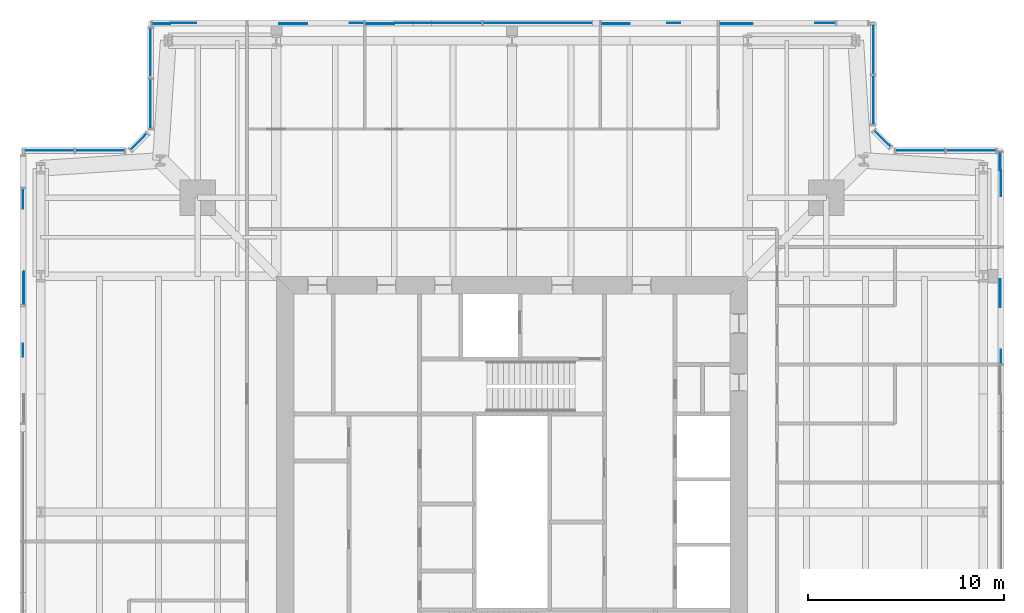
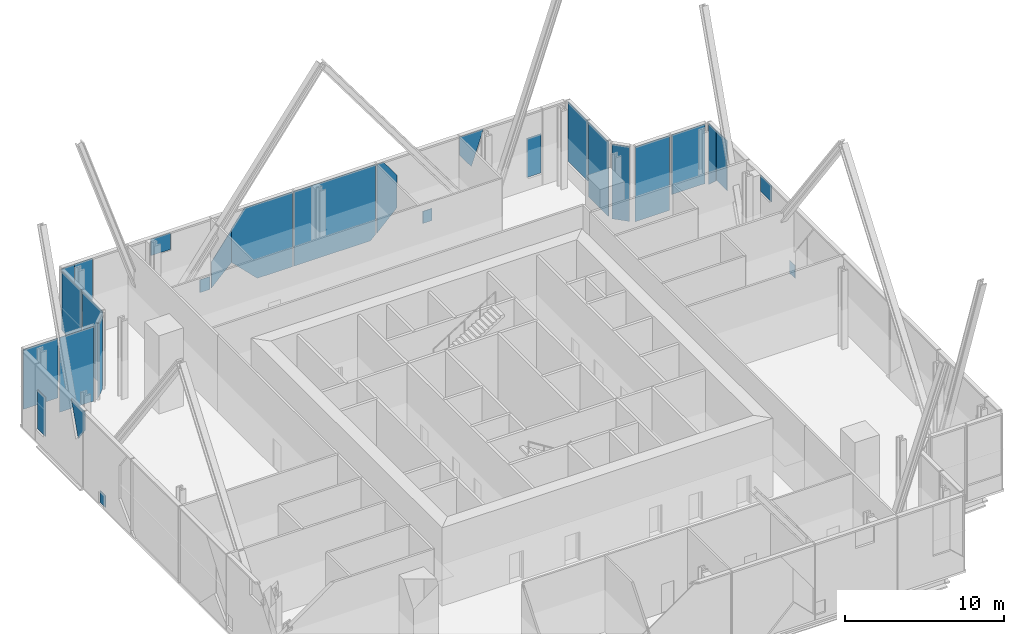
# One storey, part 9 of 20: 28 plates, 9 elements without a shape of their own.
"""IFC4 building model written with IfcOpenShell, lengths in metres."""

from ifc_helpers import new_model, si_unit, direction, frame, origin, origin_2d, place, context, subcontext, project, spatial, polyline, rectangle, outline, extrude, material, layer, layer_set, type_object, element, aggregate, save


model = new_model("IFC4")

# Units and contexts
model_context = context("Model", 3, precision=1e-05, world=origin(), true_north=direction((0.0, 1.0)))
body_context = subcontext(model_context, "Body", "Model", "MODEL_VIEW")
ifc_project = project(units=[si_unit("LENGTHUNIT", "METRE"), si_unit("AREAUNIT", "SQUARE_METRE"), si_unit("VOLUMEUNIT", "CUBIC_METRE"), si_unit("PLANEANGLEUNIT", "RADIAN"), si_unit("MASSUNIT", "GRAM", prefix="KILO")], contexts=[model_context])

# Site, building, storey
site_placement = place(None, origin())
site = spatial("IfcSite", under=ifc_project, at=site_placement, CompositionType="ELEMENT")
building_placement = place(site_placement, origin())
building = spatial("IfcBuilding", under=site, at=building_placement, Name="Fenwick Lantern Interchange", CompositionType="ELEMENT")
storey_placement = place(building_placement, frame((0.0, 0.0, 239.800048828125)))
storey = spatial("IfcBuildingStorey", under=building, at=storey_placement, Name="L56", CompositionType="ELEMENT", Elevation=239.800048828125)

# Curtain wall, plates
ifc_material_1 = material(Name="Aluminium curtain wall frame", Category="aluminium")
curtain_wall_type = type_object("IfcCurtainWallType", Name="SKY LOBBY GLAZING", PredefinedType="USERDEFINED", material=ifc_material_1)
curtain_wall_1_placement = place(storey_placement, origin())
curtain_wall_1 = element("IfcCurtainWall", 1, at=curtain_wall_1_placement, inside=storey, type_object=curtain_wall_type, Name="Sky lobby glazing 05", ObjectType="SKY LOBBY GLAZING", PredefinedType="USERDEFINED")
ifc_material_2 = material(Name="Vision glass, clear laminated double glazed", Category="glass")
ifc_layer = layer(ifc_material_2, 0.035888671875)
ifc_layer_set = layer_set([ifc_layer], Name="SKY LOBBY GLAZING PANEL 36")
plate_type = type_object("IfcPlateType", Name="SKY LOBBY GLAZING PANEL 36", PredefinedType="CURTAIN_PANEL", material=ifc_layer_set)
plate_1_placement = place(storey_placement, frame((49.89990234375, 6.60009765625, 0.35546875), z_axis=(0.0, 0.0, 1.0), x_axis=(0.0, 1.0, 0.0)))
plate_1 = element("IfcPlate", 2, at=plate_1_placement, type_object=plate_type, Name="L56/CW/05/P05a", PredefinedType="CURTAIN_PANEL", context=body_context, shape_type="SweptSolid", body=[
    extrude(outline(polyline([(25.93994140625, 0.0), (26.6650390625, 0.0), (26.6650390625, 0.98291015625), (25.93994140625, 0.98291015625), (25.93994140625, 0.0)])), frame((0.0, 0.01806640625, 0.0), z_axis=(0.0, -1.0, 0.0), x_axis=(1.0, 0.0, 0.0)), (0.0, 0.0, 1.0), 0.035888671875),
])
plate_2_placement = place(storey_placement, frame((49.89990234375, 6.60009765625, 4.460693359375), z_axis=(0.0, 0.0, 1.0), x_axis=(0.0, 1.0, 0.0)))
plate_2 = element("IfcPlate", 3, at=plate_2_placement, type_object=plate_type, Name="L56/CW/05/P05b", PredefinedType="CURTAIN_PANEL", context=body_context, shape_type="SweptSolid", body=[
    extrude(outline(polyline([(28.83642578125, 0.0), (30.241455078125, 0.0), (30.241455078125, 1.269287109375), (28.83642578125, 1.269287109375), (28.83642578125, 0.0)])), frame((0.0, 0.05615234375, 0.0), z_axis=(0.0, -1.0, 0.0), x_axis=(1.0, 0.0, 0.0)), (0.0, 0.0, 1.0), 0.035888671875),
])
plate_3_placement = place(storey_placement, frame((49.89990234375, 6.60009765625, 1.89306640625), z_axis=(0.0, 0.0, 1.0), x_axis=(0.0, 1.0, 0.0)))
plate_3 = element("IfcPlate", 4, at=plate_3_placement, type_object=plate_type, Name="L56/CW/05/P06a", PredefinedType="CURTAIN_PANEL", context=body_context, shape_type="SweptSolid", body=[
    extrude(outline(polyline([(34.47021484375, 0.0), (35.789306640625, 0.0), (35.789306640625, 3.8369140625), (34.47021484375, 3.8369140625), (34.47021484375, 0.0)])), frame((0.0, 0.01806640625, 0.0), z_axis=(0.0, -1.0, 0.0), x_axis=(1.0, 0.0, 0.0)), (0.0, 0.0, 1.0), 0.035888671875),
])
plate_4_placement = place(storey_placement, frame((49.89990234375, 6.60009765625, 1.0400390625), z_axis=(0.0, 0.0, 1.0), x_axis=(0.0, 1.0, 0.0)))
plate_4 = element("IfcPlate", 5, at=plate_4_placement, type_object=plate_type, Name="L56/CW/05/P06b", PredefinedType="CURTAIN_PANEL", context=body_context, shape_type="SweptSolid", body=[
    extrude(outline(polyline([(36.719970703125, 0.0), (36.719970703125, 4.68994140625), (35.789306640625, 4.68994140625), (35.789306640625, 0.85302734375), (36.719970703125, 0.0)])), frame((0.0, 0.05615234375, 0.0), z_axis=(0.0, -1.0, 0.0), x_axis=(1.0, 0.0, 0.0)), (0.0, 0.0, 1.0), 0.035888671875),
])
aggregate(curtain_wall_1, [plate_1, plate_2, plate_3, plate_4])

curtain_wall_2_placement = place(storey_placement, origin())
curtain_wall_2 = element("IfcCurtainWall", 6, at=curtain_wall_2_placement, inside=storey, type_object=curtain_wall_type, Name="Sky lobby glazing 06", ObjectType="SKY LOBBY GLAZING", PredefinedType="USERDEFINED")
plate_5_placement = place(storey_placement, frame((49.89990234375, 43.39990234375, 1.14990234375), z_axis=(0.0, 0.0, 1.0), x_axis=(-1.0, 0.0, 0.0)))
plate_5 = element("IfcPlate", 7, at=plate_5_placement, type_object=plate_type, Name="L56/CW/06/P00a", PredefinedType="CURTAIN_PANEL", context=body_context, shape_type="SweptSolid", body=[
    extrude(outline(polyline([(0.280029296875, 0.0), (2.699951171875, 0.0), (2.699951171875, 4.580078125), (0.280029296875, 4.580078125), (0.280029296875, 0.0)])), frame((0.0, 0.01806640625, 0.0), z_axis=(0.0, -1.0, 0.0), x_axis=(1.0, 0.0, 0.0)), (0.0, 0.0, 1.0), 0.035888671875),
])
plate_6_placement = place(storey_placement, frame((45.788818359375, 43.39990234375, 0.0), z_axis=(0.0, 0.0, 1.0), x_axis=(-1.0, 0.0, 0.0)))
plate_6 = element("IfcPlate", 8, at=plate_6_placement, type_object=plate_type, Name="L56/CW/06/P01", PredefinedType="CURTAIN_PANEL", context=body_context, shape_type="SweptSolid", body=[
    extrude(rectangle(XDim=2.500732421875, YDim=0.035888671875, at=origin_2d()), origin(), (0.0, 0.0, 1.0), 5.72998046875),
])
aggregate(curtain_wall_2, [plate_5, plate_6])

# Curtain wall, plate
curtain_wall_3_placement = place(storey_placement, origin())
curtain_wall_3 = element("IfcCurtainWall", 9, at=curtain_wall_3_placement, inside=storey, type_object=curtain_wall_type, Name="Sky lobby glazing 07", ObjectType="SKY LOBBY GLAZING", PredefinedType="USERDEFINED")
plate_7_placement = place(storey_placement, frame((43.858642578125, 44.0, 0.0), z_axis=(0.0, 0.0, 1.0), x_axis=(-0.707106781187, 0.707106781187, 0.0)))
plate_7 = element("IfcPlate", 10, at=plate_7_placement, type_object=plate_type, Name="L56/CW/07/P00", PredefinedType="CURTAIN_PANEL", context=body_context, shape_type="SweptSolid", body=[
    extrude(rectangle(XDim=1.136962890625, YDim=0.035888671875, at=origin_2d()), origin(), (0.0, 0.0, 1.0), 5.72998046875),
])
aggregate(curtain_wall_3, [plate_7])

# Curtain wall, plates
curtain_wall_4_placement = place(storey_placement, origin())
curtain_wall_4 = element("IfcCurtainWall", 11, at=curtain_wall_4_placement, inside=storey, type_object=curtain_wall_type, Name="Sky lobby glazing 08", ObjectType="SKY LOBBY GLAZING", PredefinedType="USERDEFINED")
plate_8_placement = place(storey_placement, frame((43.39990234375, 44.45849609375, 0.0), z_axis=(0.0, 0.0, 1.0), x_axis=(0.0, 1.0, 0.0)))
plate_8 = element("IfcPlate", 12, at=plate_8_placement, type_object=plate_type, Name="L56/CW/08/P00a", PredefinedType="CURTAIN_PANEL", context=body_context, shape_type="SweptSolid", body=[
    extrude(outline(polyline([(0.280029296875, 0.0), (2.741455078125, 0.0), (2.741455078125, 5.72998046875), (0.280029296875, 5.72998046875), (0.280029296875, 0.0)])), frame((0.0, 0.01806640625, 0.0), z_axis=(0.0, -1.0, 0.0), x_axis=(1.0, 0.0, 0.0)), (0.0, 0.0, 1.0), 0.035888671875),
])
plate_9_placement = place(storey_placement, frame((43.39990234375, 44.45849609375, 1.14990234375), z_axis=(0.0, 0.0, 1.0), x_axis=(0.0, 1.0, 0.0)))
plate_9 = element("IfcPlate", 13, at=plate_9_placement, type_object=plate_type, Name="L56/CW/08/P01a", PredefinedType="CURTAIN_PANEL", context=body_context, shape_type="SweptSolid", body=[
    extrude(outline(polyline([(2.860595703125, 0.0), (5.361328125, 0.0), (5.361328125, 4.580078125), (2.860595703125, 4.580078125), (2.860595703125, 0.0)])), frame((0.0, 0.01806640625, 0.0), z_axis=(0.0, -1.0, 0.0), x_axis=(1.0, 0.0, 0.0)), (0.0, 0.0, 1.0), 0.035888671875),
])
aggregate(curtain_wall_4, [plate_8, plate_9])

curtain_wall_5_placement = place(storey_placement, origin())
curtain_wall_5 = element("IfcCurtainWall", 14, at=curtain_wall_5_placement, inside=storey, type_object=curtain_wall_type, Name="Sky lobby glazing 09", ObjectType="SKY LOBBY GLAZING", PredefinedType="USERDEFINED")
plate_10_placement = place(storey_placement, frame((43.39990234375, 49.89990234375, 0.879150390625), z_axis=(0.0, 0.0, 1.0), x_axis=(-1.0, 0.0, 0.0)))
plate_10 = element("IfcPlate", 15, at=plate_10_placement, type_object=plate_type, Name="L56/CW/09/P01a", PredefinedType="CURTAIN_PANEL", context=body_context, shape_type="SweptSolid", body=[
    extrude(outline(polyline([(1.93994140625, 0.0), (2.955078125, 0.0), (2.955078125, 3.000732421875), (1.93994140625, 3.000732421875), (1.93994140625, 0.0)])), frame((0.0, 0.01806640625, 0.0), z_axis=(0.0, -1.0, 0.0), x_axis=(1.0, 0.0, 0.0)), (0.0, 0.0, 1.0), 0.035888671875),
])
plate_11_placement = place(storey_placement, frame((43.39990234375, 49.89990234375, 3.152587890625), z_axis=(0.0, 0.0, 1.0), x_axis=(-1.0, 0.0, 0.0)))
plate_11 = element("IfcPlate", 16, at=plate_11_placement, type_object=plate_type, Name="L56/CW/09/P01b", PredefinedType="CURTAIN_PANEL", context=body_context, shape_type="SweptSolid", body=[
    extrude(outline(polyline([(7.0, 0.0), (7.860107421875, 1.16748046875), (7.860107421875, 2.577392578125), (6.1298828125, 2.577392578125), (7.0, 0.0)])), frame((0.0, 0.05615234375, 0.0), z_axis=(0.0, -1.0, 0.0), x_axis=(1.0, 0.0, 0.0)), (0.0, 0.0, 1.0), 0.035888671875),
])
plate_12_placement = place(storey_placement, frame((43.39990234375, 49.89990234375, 0.0), z_axis=(0.0, 0.0, 1.0), x_axis=(-1.0, 0.0, 0.0)))
plate_12 = element("IfcPlate", 17, at=plate_12_placement, type_object=plate_type, Name="L56/CW/09/P02a", PredefinedType="CURTAIN_PANEL", context=body_context, shape_type="SweptSolid", body=[
    extrude(outline(polyline([(9.8291015625, 0.0), (10.50390625, 0.0), (10.50390625, 0.923095703125), (9.8291015625, 0.923095703125), (9.8291015625, 0.0)])), frame((0.0, 0.01806640625, 0.0), z_axis=(0.0, -1.0, 0.0), x_axis=(1.0, 0.0, 0.0)), (0.0, 0.0, 1.0), 0.035888671875),
])
plate_13_placement = place(storey_placement, frame((43.39990234375, 49.89990234375, 0.435546875), z_axis=(0.0, 0.0, 1.0), x_axis=(-1.0, 0.0, 0.0)))
plate_13 = element("IfcPlate", 18, at=plate_13_placement, type_object=plate_type, Name="L56/CW/09/P02b", PredefinedType="CURTAIN_PANEL", context=body_context, shape_type="SweptSolid", body=[
    extrude(outline(polyline([(13.860107421875, 0.0), (13.860107421875, 5.29443359375), (13.369873046875, 5.29443359375), (12.39990234375, 3.977783203125), (12.39990234375, 1.4599609375), (13.860107421875, 0.0)])), frame((0.0, 0.05615234375, 0.0), z_axis=(0.0, -1.0, 0.0), x_axis=(1.0, 0.0, 0.0)), (0.0, 0.0, 1.0), 0.035888671875),
])
plate_14_placement = place(storey_placement, frame((43.39990234375, 49.89990234375, 0.0), z_axis=(0.0, 0.0, 1.0), x_axis=(-1.0, 0.0, 0.0)))
plate_14 = element("IfcPlate", 19, at=plate_14_placement, type_object=plate_type, Name="L56/CW/09/P03a", PredefinedType="CURTAIN_PANEL", context=body_context, shape_type="SweptSolid", body=[
    extrude(outline(polyline([(14.295654296875, 0.0), (19.860107421875, 0.0), (19.860107421875, 5.72998046875), (13.93994140625, 5.72998046875), (13.93994140625, 0.35546875), (14.295654296875, 0.0)])), frame((0.0, 0.01806640625, 0.0), z_axis=(0.0, -1.0, 0.0), x_axis=(1.0, 0.0, 0.0)), (0.0, 0.0, 1.0), 0.035888671875),
])
plate_15_placement = place(storey_placement, frame((43.39990234375, 49.89990234375, 0.0), z_axis=(0.0, 0.0, 1.0), x_axis=(-1.0, 0.0, 0.0)))
plate_15 = element("IfcPlate", 20, at=plate_15_placement, type_object=plate_type, Name="L56/CW/09/P04a", PredefinedType="CURTAIN_PANEL", context=body_context, shape_type="SweptSolid", body=[
    extrude(outline(polyline([(19.93994140625, 0.0), (22.50439453125, 0.0), (24.39990234375, 1.8955078125), (24.39990234375, 4.413330078125), (23.43017578125, 5.72998046875), (19.93994140625, 5.72998046875), (19.93994140625, 0.0)])), frame((0.0, 0.01806640625, 0.0), z_axis=(0.0, -1.0, 0.0), x_axis=(1.0, 0.0, 0.0)), (0.0, 0.0, 1.0), 0.035888671875),
])
plate_16_placement = place(storey_placement, frame((43.39990234375, 49.89990234375, 0.435546875), z_axis=(0.0, 0.0, 1.0), x_axis=(-1.0, 0.0, 0.0)))
plate_16 = element("IfcPlate", 21, at=plate_16_placement, type_object=plate_type, Name="L56/CW/09/P04b", PredefinedType="CURTAIN_PANEL", context=body_context, shape_type="SweptSolid", body=[
    extrude(outline(polyline([(25.860107421875, 0.0), (25.860107421875, 1.995849609375), (24.39990234375, 3.977783203125), (24.39990234375, 1.4599609375), (25.860107421875, 0.0)])), frame((0.0, 0.05615234375, 0.0), z_axis=(0.0, -1.0, 0.0), x_axis=(1.0, 0.0, 0.0)), (0.0, 0.0, 1.0), 0.035888671875),
])
plate_17_placement = place(storey_placement, frame((43.39990234375, 49.89990234375, 0.35546875), z_axis=(0.0, 0.0, 1.0), x_axis=(-1.0, 0.0, 0.0)))
plate_17 = element("IfcPlate", 22, at=plate_17_placement, type_object=plate_type, Name="L56/CW/09/P05a", PredefinedType="CURTAIN_PANEL", context=body_context, shape_type="SweptSolid", body=[
    extrude(outline(polyline([(25.93994140625, 0.0), (26.6650390625, 0.0), (26.6650390625, 0.98291015625), (25.93994140625, 0.98291015625), (25.93994140625, 0.0)])), frame((0.0, 0.01806640625, 0.0), z_axis=(0.0, -1.0, 0.0), x_axis=(1.0, 0.0, 0.0)), (0.0, 0.0, 1.0), 0.035888671875),
])
plate_18_placement = place(storey_placement, frame((43.39990234375, 49.89990234375, 4.460693359375), z_axis=(0.0, 0.0, 1.0), x_axis=(-1.0, 0.0, 0.0)))
plate_18 = element("IfcPlate", 23, at=plate_18_placement, type_object=plate_type, Name="L56/CW/09/P05b", PredefinedType="CURTAIN_PANEL", context=body_context, shape_type="SweptSolid", body=[
    extrude(outline(polyline([(28.83642578125, 0.0), (30.241455078125, 0.0), (30.241455078125, 1.269287109375), (28.83642578125, 1.269287109375), (28.83642578125, 0.0)])), frame((0.0, 0.05615234375, 0.0), z_axis=(0.0, -1.0, 0.0), x_axis=(1.0, 0.0, 0.0)), (0.0, 0.0, 1.0), 0.035888671875),
])
plate_19_placement = place(storey_placement, frame((43.39990234375, 49.89990234375, 1.89306640625), z_axis=(0.0, 0.0, 1.0), x_axis=(-1.0, 0.0, 0.0)))
plate_19 = element("IfcPlate", 24, at=plate_19_placement, type_object=plate_type, Name="L56/CW/09/P06a", PredefinedType="CURTAIN_PANEL", context=body_context, shape_type="SweptSolid", body=[
    extrude(outline(polyline([(34.47021484375, 0.0), (35.789306640625, 0.0), (35.789306640625, 3.8369140625), (34.47021484375, 3.8369140625), (34.47021484375, 0.0)])), frame((0.0, 0.01806640625, 0.0), z_axis=(0.0, -1.0, 0.0), x_axis=(1.0, 0.0, 0.0)), (0.0, 0.0, 1.0), 0.035888671875),
])
plate_20_placement = place(storey_placement, frame((43.39990234375, 49.89990234375, 1.0400390625), z_axis=(0.0, 0.0, 1.0), x_axis=(-1.0, 0.0, 0.0)))
plate_20 = element("IfcPlate", 25, at=plate_20_placement, type_object=plate_type, Name="L56/CW/09/P06b", PredefinedType="CURTAIN_PANEL", context=body_context, shape_type="SweptSolid", body=[
    extrude(outline(polyline([(36.719970703125, 0.0), (36.719970703125, 4.68994140625), (35.789306640625, 4.68994140625), (35.789306640625, 0.85302734375), (36.719970703125, 0.0)])), frame((0.0, 0.05615234375, 0.0), z_axis=(0.0, -1.0, 0.0), x_axis=(1.0, 0.0, 0.0)), (0.0, 0.0, 1.0), 0.035888671875),
])
aggregate(curtain_wall_5, [plate_10, plate_11, plate_12, plate_13, plate_14, plate_15, plate_16, plate_17, plate_18, plate_19, plate_20])

curtain_wall_6_placement = place(storey_placement, origin())
curtain_wall_6 = element("IfcCurtainWall", 26, at=curtain_wall_6_placement, inside=storey, type_object=curtain_wall_type, Name="Sky lobby glazing 10", ObjectType="SKY LOBBY GLAZING", PredefinedType="USERDEFINED")
plate_21_placement = place(storey_placement, frame((6.60009765625, 49.89990234375, 1.14990234375), z_axis=(0.0, 0.0, 1.0), x_axis=(0.0, -1.0, 0.0)))
plate_21 = element("IfcPlate", 27, at=plate_21_placement, type_object=plate_type, Name="L56/CW/10/P00a", PredefinedType="CURTAIN_PANEL", context=body_context, shape_type="SweptSolid", body=[
    extrude(outline(polyline([(0.280029296875, 0.0), (2.699951171875, 0.0), (2.699951171875, 4.580078125), (0.280029296875, 4.580078125), (0.280029296875, 0.0)])), frame((0.0, 0.01806640625, 0.0), z_axis=(0.0, -1.0, 0.0), x_axis=(1.0, 0.0, 0.0)), (0.0, 0.0, 1.0), 0.035888671875),
])
plate_22_placement = place(storey_placement, frame((6.60009765625, 45.788818359375, 0.0), z_axis=(0.0, 0.0, 1.0), x_axis=(0.0, -1.0, 0.0)))
plate_22 = element("IfcPlate", 28, at=plate_22_placement, type_object=plate_type, Name="L56/CW/10/P01", PredefinedType="CURTAIN_PANEL", context=body_context, shape_type="SweptSolid", body=[
    extrude(rectangle(XDim=2.500732421875, YDim=0.035888671875, at=origin_2d()), origin(), (0.0, 0.0, 1.0), 5.72998046875),
])
aggregate(curtain_wall_6, [plate_21, plate_22])

# Curtain wall, plate
curtain_wall_7_placement = place(storey_placement, origin())
curtain_wall_7 = element("IfcCurtainWall", 29, at=curtain_wall_7_placement, inside=storey, type_object=curtain_wall_type, Name="Sky lobby glazing 11", ObjectType="SKY LOBBY GLAZING", PredefinedType="USERDEFINED")
plate_23_placement = place(storey_placement, frame((6.0, 43.858642578125, 0.0), z_axis=(0.0, 0.0, 1.0), x_axis=(-0.707106781187, -0.707106781187, 0.0)))
plate_23 = element("IfcPlate", 30, at=plate_23_placement, type_object=plate_type, Name="L56/CW/11/P00", PredefinedType="CURTAIN_PANEL", context=body_context, shape_type="SweptSolid", body=[
    extrude(rectangle(XDim=1.136962890625, YDim=0.035888671875, at=origin_2d()), origin(), (0.0, 0.0, 1.0), 5.72998046875),
])
aggregate(curtain_wall_7, [plate_23])

# Curtain wall, plates
curtain_wall_8_placement = place(storey_placement, origin())
curtain_wall_8 = element("IfcCurtainWall", 31, at=curtain_wall_8_placement, inside=storey, type_object=curtain_wall_type, Name="Sky lobby glazing 12", ObjectType="SKY LOBBY GLAZING", PredefinedType="USERDEFINED")
plate_24_placement = place(storey_placement, frame((5.54150390625, 43.39990234375, 0.0), z_axis=(0.0, 0.0, 1.0), x_axis=(-1.0, 0.0, 0.0)))
plate_24 = element("IfcPlate", 32, at=plate_24_placement, type_object=plate_type, Name="L56/CW/12/P00a", PredefinedType="CURTAIN_PANEL", context=body_context, shape_type="SweptSolid", body=[
    extrude(outline(polyline([(0.280029296875, 0.0), (2.741455078125, 0.0), (2.741455078125, 5.72998046875), (0.280029296875, 5.72998046875), (0.280029296875, 0.0)])), frame((0.0, 0.01806640625, 0.0), z_axis=(0.0, -1.0, 0.0), x_axis=(1.0, 0.0, 0.0)), (0.0, 0.0, 1.0), 0.035888671875),
])
plate_25_placement = place(storey_placement, frame((5.54150390625, 43.39990234375, 1.14990234375), z_axis=(0.0, 0.0, 1.0), x_axis=(-1.0, 0.0, 0.0)))
plate_25 = element("IfcPlate", 33, at=plate_25_placement, type_object=plate_type, Name="L56/CW/12/P01a", PredefinedType="CURTAIN_PANEL", context=body_context, shape_type="SweptSolid", body=[
    extrude(outline(polyline([(2.860595703125, 0.0), (5.361328125, 0.0), (5.361328125, 4.580078125), (2.860595703125, 4.580078125), (2.860595703125, 0.0)])), frame((0.0, 0.01806640625, 0.0), z_axis=(0.0, -1.0, 0.0), x_axis=(1.0, 0.0, 0.0)), (0.0, 0.0, 1.0), 0.035888671875),
])
aggregate(curtain_wall_8, [plate_24, plate_25])

curtain_wall_9_placement = place(storey_placement, origin())
curtain_wall_9 = element("IfcCurtainWall", 34, at=curtain_wall_9_placement, inside=storey, type_object=curtain_wall_type, Name="Sky lobby glazing 13", ObjectType="SKY LOBBY GLAZING", PredefinedType="USERDEFINED")
plate_26_placement = place(storey_placement, frame((0.10009765625, 43.39990234375, 0.879150390625), z_axis=(0.0, 0.0, 1.0), x_axis=(0.0, -1.0, 0.0)))
plate_26 = element("IfcPlate", 35, at=plate_26_placement, type_object=plate_type, Name="L56/CW/13/P01a", PredefinedType="CURTAIN_PANEL", context=body_context, shape_type="SweptSolid", body=[
    extrude(outline(polyline([(1.93994140625, 0.0), (2.955078125, 0.0), (2.955078125, 3.000732421875), (1.93994140625, 3.000732421875), (1.93994140625, 0.0)])), frame((0.0, 0.01806640625, 0.0), z_axis=(0.0, -1.0, 0.0), x_axis=(1.0, 0.0, 0.0)), (0.0, 0.0, 1.0), 0.035888671875),
])
plate_27_placement = place(storey_placement, frame((0.10009765625, 43.39990234375, 3.152587890625), z_axis=(0.0, 0.0, 1.0), x_axis=(0.0, -1.0, 0.0)))
plate_27 = element("IfcPlate", 36, at=plate_27_placement, type_object=plate_type, Name="L56/CW/13/P01b", PredefinedType="CURTAIN_PANEL", context=body_context, shape_type="SweptSolid", body=[
    extrude(outline(polyline([(7.0, 0.0), (7.860107421875, 1.16748046875), (7.860107421875, 2.577392578125), (6.1298828125, 2.577392578125), (7.0, 0.0)])), frame((0.0, 0.05615234375, 0.0), z_axis=(0.0, -1.0, 0.0), x_axis=(1.0, 0.0, 0.0)), (0.0, 0.0, 1.0), 0.035888671875),
])
plate_28_placement = place(storey_placement, frame((0.10009765625, 43.39990234375, 0.0), z_axis=(0.0, 0.0, 1.0), x_axis=(0.0, -1.0, 0.0)))
plate_28 = element("IfcPlate", 37, at=plate_28_placement, type_object=plate_type, Name="L56/CW/13/P02a", PredefinedType="CURTAIN_PANEL", context=body_context, shape_type="SweptSolid", body=[
    extrude(outline(polyline([(9.8291015625, 0.0), (10.50390625, 0.0), (10.50390625, 0.923095703125), (9.8291015625, 0.923095703125), (9.8291015625, 0.0)])), frame((0.0, 0.01806640625, 0.0), z_axis=(0.0, -1.0, 0.0), x_axis=(1.0, 0.0, 0.0)), (0.0, 0.0, 1.0), 0.035888671875),
])
aggregate(curtain_wall_9, [plate_26, plate_27, plate_28])

save(model, "model.ifc")
